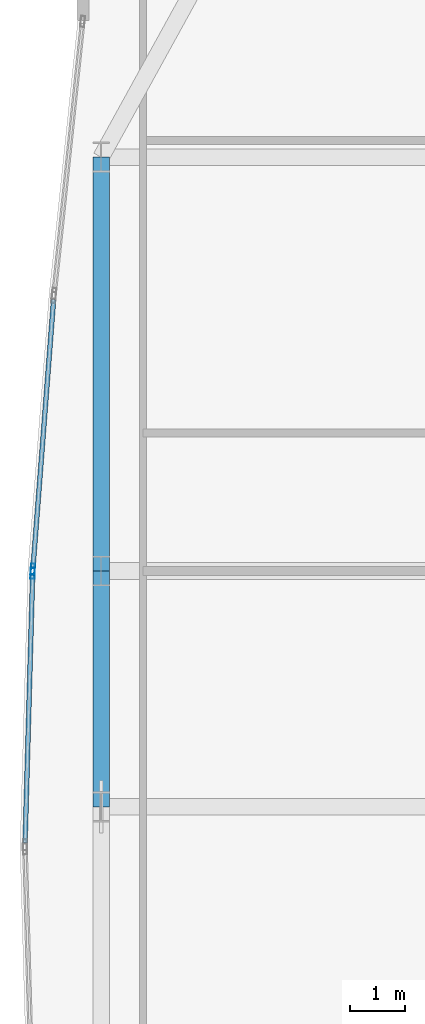
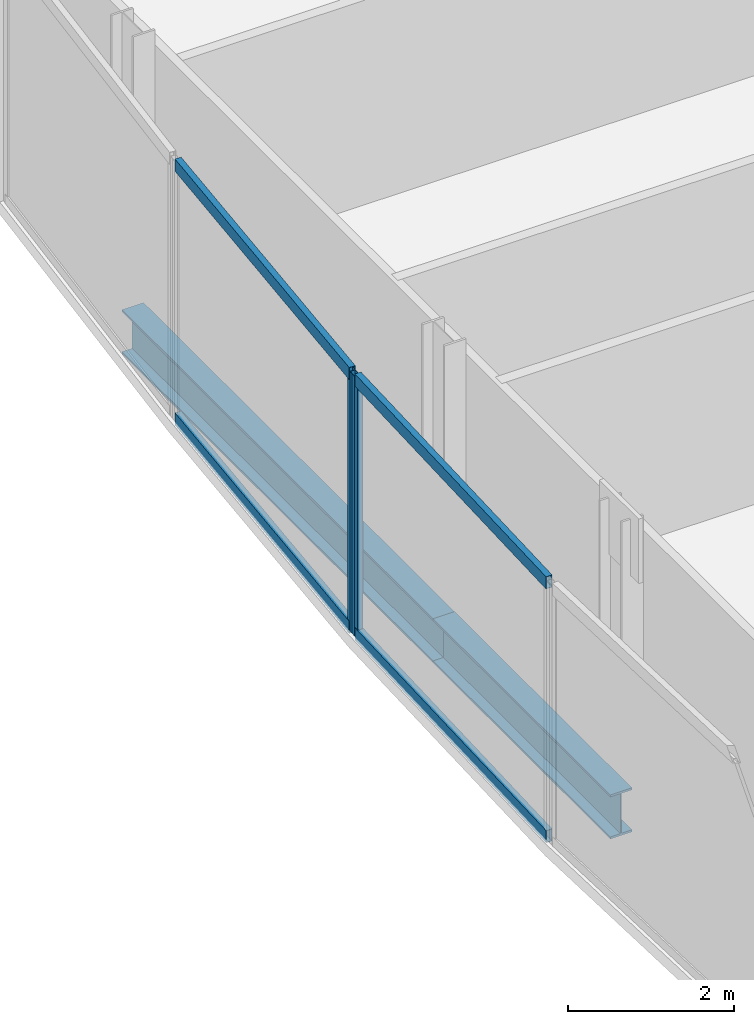
# One storey, part 11 of 30: 6 members, 2 beams, 2 elements without a shape of their own.
"""IFC4 building model written with IfcOpenShell, lengths in metres."""

from ifc_helpers import new_model, si_unit, direction, frame, origin, origin_2d, place, context, subcontext, project, spatial, hollow_rectangle, i_section, extrude, material, material_profile, profile_set, type_object, element, aggregate, save


model = new_model("IFC4")

# Units and contexts
model_context = context("Model", 3, precision=1e-05, world=origin(), true_north=direction((0.0, 1.0)))
body_context = subcontext(model_context, "Body", "Model", "MODEL_VIEW")
ifc_project = project(units=[si_unit("LENGTHUNIT", "METRE"), si_unit("AREAUNIT", "SQUARE_METRE"), si_unit("VOLUMEUNIT", "CUBIC_METRE"), si_unit("PLANEANGLEUNIT", "RADIAN"), si_unit("MASSUNIT", "GRAM", prefix="KILO")], contexts=[model_context])

# Site, building, storey
site_placement = place(None, origin())
site = spatial("IfcSite", under=ifc_project, at=site_placement, CompositionType="ELEMENT")
building_placement = place(site_placement, origin())
building = spatial("IfcBuilding", under=site, at=building_placement, Name="Khoronbel Lancet Exchange", CompositionType="ELEMENT")
storey_placement = place(building_placement, frame((0.0, 0.0, 90.60009765625)))
storey = spatial("IfcBuildingStorey", under=building, at=storey_placement, Name="L21", CompositionType="ELEMENT", Elevation=90.60009765625)

# Beams
ifc_material_1 = material(Name="Steel S355", Category="steel")
ifc_material_profile_1 = material_profile(ifc_material_1, i_section(OverallWidth=0.300048828125, OverallDepth=0.64990234375, WebThickness=0.01611328125, FlangeThickness=0.031005859375, at=origin_2d()), Name="HEB 650")
ifc_profile_set_1 = profile_set([ifc_material_profile_1], Name="Steel S355")
beam_type = type_object("IfcBeamType", Name="BM-BSP1", PredefinedType="SPANDREL", material=ifc_profile_set_1)
beam_1_placement = place(storey_placement, frame((3.27001953125, 43.199951171875, -0.505126953125), z_axis=(0.0, -1.0, 0.0), x_axis=(1.0, 0.0, 0.0)))
element("IfcBeam", 1, at=beam_1_placement, inside=storey, type_object=beam_type, Name="Level L21 perimeter spandrel beam SP17", PredefinedType="SPANDREL", context=body_context, shape_type="SweptSolid", body=[
    extrude(i_section(OverallWidth=0.300048828125, OverallDepth=0.64990234375, WebThickness=0.01611328125, FlangeThickness=0.031005859375, at=origin_2d()), origin(), (0.0, 0.0, 1.0), 7.5),
])
beam_2_placement = place(storey_placement, frame((3.27001953125, 35.699951171875, -0.505126953125), z_axis=(0.0, -1.0, 0.0), x_axis=(1.0, 0.0, 0.0)))
element("IfcBeam", 2, at=beam_2_placement, inside=storey, type_object=beam_type, Name="Level L21 perimeter spandrel beam SP18", PredefinedType="SPANDREL", context=body_context, shape_type="SweptSolid", body=[
    extrude(i_section(OverallWidth=0.300048828125, OverallDepth=0.64990234375, WebThickness=0.01611328125, FlangeThickness=0.031005859375, at=origin_2d()), origin(), (0.0, 0.0, 1.0), 4.27490234375),
])

# Curtain wall, member
ifc_material_2 = material(Name="Low-E Solar Control Insulating Glass", Category="glass")
curtain_wall_type = type_object("IfcCurtainWallType", Name="CW-4", PredefinedType="NOTDEFINED", material=ifc_material_2)
curtain_wall_1_placement = place(storey_placement, origin())
curtain_wall_1 = element("IfcCurtainWall", 3, at=curtain_wall_1_placement, inside=storey, type_object=curtain_wall_type, Name="Unitised curtain wall CW-L21-E07", PredefinedType="NOTDEFINED")
ifc_material_3 = material(Name="Bronze-Anodised Aluminium 6063-T6", Category="aluminium")
ifc_material_profile_2 = material_profile(ifc_material_3, hollow_rectangle(XDim=0.074951171875, YDim=0.199951171875, WallThickness=0.0048828125, at=origin_2d()), Name="ALU MULLION 75x200")
ifc_profile_set_2 = profile_set([ifc_material_profile_2], Name="Bronze-Anodised Aluminium 6063-T6")
member_type_1 = type_object("IfcMemberType", Name="MEM-CWM2", PredefinedType="MULLION", material=ifc_profile_set_2)
member_1_placement = place(storey_placement, frame((2.029541015625, 35.65771484375, 0.0), z_axis=(0.0, 0.0, 1.0), x_axis=(-0.999604123662, 0.028135315146, 0.0)))
member_1 = element("IfcMember", 4, at=member_1_placement, type_object=member_type_1, Name="CW4 mullion 2", PredefinedType="MULLION", context=body_context, shape_type="SweptSolid", body=[
    extrude(hollow_rectangle(XDim=0.074951171875, YDim=0.199951171875, WallThickness=0.0048828125, at=origin_2d()), origin(), (0.0, 0.0, 1.0), 3.81982421875),
])

curtain_wall_2_placement = place(storey_placement, origin())
curtain_wall_2 = element("IfcCurtainWall", 5, at=curtain_wall_2_placement, inside=storey, type_object=curtain_wall_type, Name="Unitised curtain wall CW-L21-E08", PredefinedType="NOTDEFINED")
member_2_placement = place(storey_placement, frame((2.033447265625, 35.732666015625, 0.0), z_axis=(0.0, 0.0, 1.0), x_axis=(-0.997059882555, 0.076626304874, 0.0)))
member_2 = element("IfcMember", 6, at=member_2_placement, type_object=member_type_1, Name="CW4 mullion 1", PredefinedType="MULLION", context=body_context, shape_type="SweptSolid", body=[
    extrude(hollow_rectangle(XDim=0.074951171875, YDim=0.199951171875, WallThickness=0.0048828125, at=origin_2d()), origin(), (0.0, 0.0, 1.0), 3.81982421875),
])

# Member
ifc_material_profile_3 = material_profile(ifc_material_3, hollow_rectangle(XDim=0.0849609375, YDim=0.179931640625, WallThickness=0.0048828125, at=origin_2d()), Name="ALU TRANSOM 85x180")
ifc_profile_set_3 = profile_set([ifc_material_profile_3], Name="Bronze-Anodised Aluminium 6063-T6")
member_type_2 = type_object("IfcMemberType", Name="MEM-CWT1", PredefinedType="USERDEFINED", material=ifc_profile_set_3)
member_3_placement = place(storey_placement, frame((1.89208984375, 30.77490234375, 0.04248046875), z_axis=(0.028154300716, 0.999603589105, 0.0), x_axis=(-0.999603589105, 0.028154300716, 0.0)))
member_3 = element("IfcMember", 7, at=member_3_placement, type_object=member_type_2, Name="CW4 transom 1.1", ObjectType="TRANSOM", PredefinedType="USERDEFINED", context=body_context, shape_type="SweptSolid", body=[
    extrude(hollow_rectangle(XDim=0.0849609375, YDim=0.179931640625, WallThickness=0.0048828125, at=origin_2d()), origin(), (0.0, 0.0, 1.0), 4.847412109375),
])

member_4_placement = place(storey_placement, frame((1.89208984375, 30.77490234375, 3.77734375), z_axis=(0.028154300716, 0.999603589105, 0.0), x_axis=(-0.999603589105, 0.028154300716, 0.0)))
member_4 = element("IfcMember", 8, at=member_4_placement, type_object=member_type_2, Name="CW4 transom 1.2", ObjectType="TRANSOM", PredefinedType="USERDEFINED", context=body_context, shape_type="SweptSolid", body=[
    extrude(hollow_rectangle(XDim=0.0849609375, YDim=0.179931640625, WallThickness=0.0048828125, at=origin_2d()), origin(), (0.0, 0.0, 1.0), 4.847412109375),
])

aggregate(curtain_wall_1, [member_1, member_3, member_4])

member_5_placement = place(storey_placement, frame((2.036376953125, 35.77001953125, 0.04248046875), z_axis=(0.076635053626, 0.997059210155, 0.0), x_axis=(-0.997059210155, 0.076635053626, 0.0)))
member_5 = element("IfcMember", 9, at=member_5_placement, type_object=member_type_2, Name="CW4 transom 1.1", ObjectType="TRANSOM", PredefinedType="USERDEFINED", context=body_context, shape_type="SweptSolid", body=[
    extrude(hollow_rectangle(XDim=0.0849609375, YDim=0.179931640625, WallThickness=0.0048828125, at=origin_2d()), origin(), (0.0, 0.0, 1.0), 4.861572265625),
])

member_6_placement = place(storey_placement, frame((2.036376953125, 35.77001953125, 3.77734375), z_axis=(0.076635053626, 0.997059210155, 0.0), x_axis=(-0.997059210155, 0.076635053626, 0.0)))
member_6 = element("IfcMember", 10, at=member_6_placement, type_object=member_type_2, Name="CW4 transom 1.2", ObjectType="TRANSOM", PredefinedType="USERDEFINED", context=body_context, shape_type="SweptSolid", body=[
    extrude(hollow_rectangle(XDim=0.0849609375, YDim=0.179931640625, WallThickness=0.0048828125, at=origin_2d()), origin(), (0.0, 0.0, 1.0), 4.861572265625),
])

aggregate(curtain_wall_2, [member_2, member_5, member_6])

save(model, "model.ifc")
